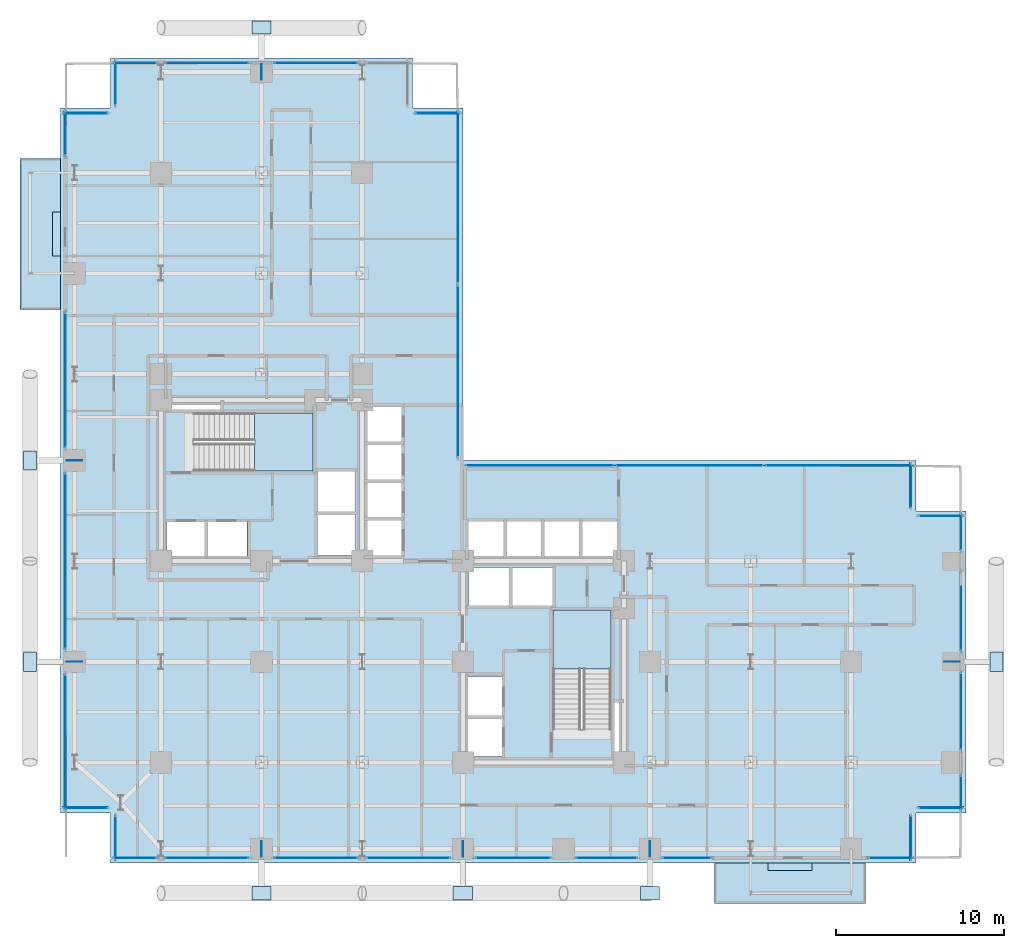
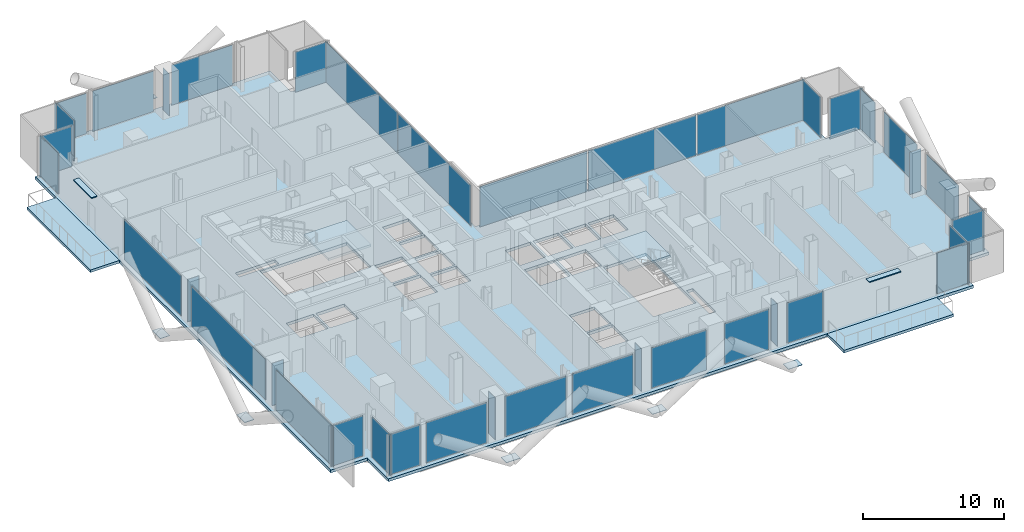
# One storey, part 17 of 27: 49 plates, 5 slabs, 32 elements without a shape of their own.
"""IFC4 building model written with IfcOpenShell, lengths in metres."""

from ifc_helpers import new_model, si_unit, direction, frame, origin, origin_2d, place, context, subcontext, project, spatial, polyline, rectangle, outline, extrude, material, layer, layer_set, type_object, element, aggregate, save


model = new_model("IFC4")

# Units and contexts
model_context = context("Model", 3, precision=1e-05, world=origin(), true_north=direction((0.0, 1.0)))
body_context = subcontext(model_context, "Body", "Model", "MODEL_VIEW")
ifc_project = project(units=[si_unit("LENGTHUNIT", "METRE"), si_unit("AREAUNIT", "SQUARE_METRE"), si_unit("VOLUMEUNIT", "CUBIC_METRE"), si_unit("PLANEANGLEUNIT", "RADIAN"), si_unit("MASSUNIT", "GRAM", prefix="KILO"), si_unit("THERMODYNAMICTEMPERATUREUNIT", "KELVIN"), si_unit("POWERUNIT", "WATT")], contexts=[model_context])

# Site, building, storey
site_placement = place(None, origin())
site = spatial("IfcSite", under=ifc_project, at=site_placement, CompositionType="ELEMENT")
building_placement = place(site_placement, origin())
building = spatial("IfcBuilding", under=site, at=building_placement, Name="Svarakhadi Broadcast Tower", CompositionType="ELEMENT")
storey_placement = place(building_placement, frame((0.0, 0.0, 44.10009765625)))
storey = spatial("IfcBuildingStorey", under=building, at=storey_placement, Name="L09", CompositionType="ELEMENT", Elevation=44.10009765625)

# Curtain wall, plate
ifc_material_1 = material(Name="Anodised Bronze Aluminium AA 6063-T6", Category="aluminium")
ifc_layer_1 = layer(ifc_material_1, 0.219970703125)
ifc_layer_set_1 = layer_set([ifc_layer_1], Name="Anodised Bronze Aluminium AA 6063-T6")
curtain_wall_type = type_object("IfcCurtainWallType", Name="CW_Sys_02", PredefinedType="NOTDEFINED", material=ifc_layer_set_1)
curtain_wall_1_placement = place(storey_placement, origin())
curtain_wall_1 = element("IfcCurtainWall", 1, at=curtain_wall_1_placement, inside=storey, type_object=curtain_wall_type, Name="L09 Unitised Facade Curtain Wall 01", PredefinedType="NOTDEFINED")
ifc_material_2 = material(Name="Double Low-E Laminated Acoustic Glass IGU 36 mm", Category="glass")
ifc_layer_2 = layer(ifc_material_2, 0.035888671875)
ifc_layer_set_2 = layer_set([ifc_layer_2], Name="Double Low-E Laminated Acoustic Glass IGU 36 mm")
plate_type_1 = type_object("IfcPlateType", Name="CW_Sys_02_Pnl", PredefinedType="CURTAIN_PANEL", material=ifc_layer_set_2)
plate_1_placement = place(storey_placement, frame((1.5, 3.300048828125, 0.074951171875), z_axis=(0.0, 0.0, 1.0), x_axis=(-1.0, 0.0, 0.0)))
plate_1 = element("IfcPlate", 2, at=plate_1_placement, type_object=plate_type_1, Name="CW-02 panel 1.1", PredefinedType="CURTAIN_PANEL", context=body_context, shape_type="SweptSolid", body=[
    extrude(rectangle(XDim=2.64990234375, YDim=0.035888671875, at=origin_2d()), origin(), (0.0, 0.0, 1.0), 3.5),
])
aggregate(curtain_wall_1, [plate_1])

curtain_wall_2_placement = place(storey_placement, origin())
curtain_wall_2 = element("IfcCurtainWall", 3, at=curtain_wall_2_placement, inside=storey, type_object=curtain_wall_type, Name="L09 West Curtain Wall 02 Bay 1", PredefinedType="NOTDEFINED")
plate_2_placement = place(storey_placement, frame((0.300048828125, 7.2099609375, 0.074951171875), z_axis=(0.0, 0.0, 1.0), x_axis=(0.0, 1.0, 0.0)))
plate_2 = element("IfcPlate", 4, at=plate_2_placement, type_object=plate_type_1, Name="CW-02 panel 1.1", PredefinedType="CURTAIN_PANEL", context=body_context, shape_type="SweptSolid", body=[
    extrude(rectangle(XDim=8.070068359375, YDim=0.035888671875, at=origin_2d()), origin(), (0.0, 0.0, 1.0), 3.5),
])
aggregate(curtain_wall_2, [plate_2])

curtain_wall_3_placement = place(storey_placement, origin())
curtain_wall_3 = element("IfcCurtainWall", 5, at=curtain_wall_3_placement, inside=storey, type_object=curtain_wall_type, Name="L09 West Curtain Wall 02 Bay 2", PredefinedType="NOTDEFINED")
plate_3_placement = place(storey_placement, frame((0.300048828125, 18.0, 0.074951171875), z_axis=(0.0, 0.0, 1.0), x_axis=(0.0, 1.0, 0.0)))
plate_3 = element("IfcPlate", 6, at=plate_3_placement, type_object=plate_type_1, Name="CW-02 panel 1.1", PredefinedType="CURTAIN_PANEL", context=body_context, shape_type="SweptSolid", body=[
    extrude(rectangle(XDim=10.489990234375, YDim=0.035888671875, at=origin_2d()), origin(), (0.0, 0.0, 1.0), 3.5),
])
aggregate(curtain_wall_3, [plate_3])

curtain_wall_4_placement = place(storey_placement, origin())
curtain_wall_4 = element("IfcCurtainWall", 7, at=curtain_wall_4_placement, inside=storey, type_object=curtain_wall_type, Name="L09 West Curtain Wall 02 Bay 3", PredefinedType="NOTDEFINED")
plate_4_placement = place(storey_placement, frame((0.300048828125, 28.7900390625, 0.074951171875), z_axis=(0.0, 0.0, 1.0), x_axis=(0.0, 1.0, 0.0)))
plate_4 = element("IfcPlate", 8, at=plate_4_placement, type_object=plate_type_1, Name="CW-02 panel 1.1", PredefinedType="CURTAIN_PANEL", context=body_context, shape_type="SweptSolid", body=[
    extrude(rectangle(XDim=8.070068359375, YDim=0.035888671875, at=origin_2d()), origin(), (0.0, 0.0, 1.0), 3.5),
])
aggregate(curtain_wall_4, [plate_4])

curtain_wall_5_placement = place(storey_placement, origin())
curtain_wall_5 = element("IfcCurtainWall", 9, at=curtain_wall_5_placement, inside=storey, type_object=curtain_wall_type, Name="L09 West Curtain Wall 03", PredefinedType="NOTDEFINED")
plate_5_placement = place(storey_placement, frame((0.300048828125, 43.5, 0.074951171875), z_axis=(0.0, 0.0, 1.0), x_axis=(0.0, 1.0, 0.0)))
plate_5 = element("IfcPlate", 10, at=plate_5_placement, type_object=plate_type_1, Name="CW-02 panel 1.1", PredefinedType="CURTAIN_PANEL", context=body_context, shape_type="SweptSolid", body=[
    extrude(rectangle(XDim=2.64990234375, YDim=0.035888671875, at=origin_2d()), origin(), (0.0, 0.0, 1.0), 3.5),
])
aggregate(curtain_wall_5, [plate_5])

curtain_wall_6_placement = place(storey_placement, origin())
curtain_wall_6 = element("IfcCurtainWall", 11, at=curtain_wall_6_placement, inside=storey, type_object=curtain_wall_type, Name="L09 Unitised Facade Curtain Wall 04", PredefinedType="NOTDEFINED")
plate_6_placement = place(storey_placement, frame((1.5, 44.699951171875, 0.074951171875), z_axis=(0.0, 0.0, 1.0), x_axis=(1.0, 0.0, 0.0)))
plate_6 = element("IfcPlate", 12, at=plate_6_placement, type_object=plate_type_1, Name="CW-02 panel 1.1", PredefinedType="CURTAIN_PANEL", context=body_context, shape_type="SweptSolid", body=[
    extrude(rectangle(XDim=2.64990234375, YDim=0.035888671875, at=origin_2d()), origin(), (0.0, 0.0, 1.0), 3.5),
])
aggregate(curtain_wall_6, [plate_6])

curtain_wall_7_placement = place(storey_placement, origin())
curtain_wall_7 = element("IfcCurtainWall", 13, at=curtain_wall_7_placement, inside=storey, type_object=curtain_wall_type, Name="L09 Unitised Facade Curtain Wall 05", PredefinedType="NOTDEFINED")
plate_7_placement = place(storey_placement, frame((3.300048828125, 46.5, 0.074951171875), z_axis=(0.0, 0.0, 1.0), x_axis=(0.0, 1.0, 0.0)))
plate_7 = element("IfcPlate", 14, at=plate_7_placement, type_object=plate_type_1, Name="CW-02 panel 1.1", PredefinedType="CURTAIN_PANEL", context=body_context, shape_type="SweptSolid", body=[
    extrude(rectangle(XDim=2.64990234375, YDim=0.035888671875, at=origin_2d()), origin(), (0.0, 0.0, 1.0), 3.5),
])
aggregate(curtain_wall_7, [plate_7])

curtain_wall_8_placement = place(storey_placement, origin())
curtain_wall_8 = element("IfcCurtainWall", 15, at=curtain_wall_8_placement, inside=storey, type_object=curtain_wall_type, Name="L09 Unitised Facade Curtain Wall 06 Bay 1", PredefinedType="NOTDEFINED")
plate_8_placement = place(storey_placement, frame((4.4599609375, 47.699951171875, 0.074951171875), z_axis=(0.0, 0.0, 1.0), x_axis=(1.0, 0.0, 0.0)))
plate_8 = element("IfcPlate", 16, at=plate_8_placement, type_object=plate_type_1, Name="CW-02 panel 1.1", PredefinedType="CURTAIN_PANEL", context=body_context, shape_type="SweptSolid", body=[
    extrude(rectangle(XDim=2.570068359375, YDim=0.035888671875, at=origin_2d()), origin(), (0.0, 0.0, 1.0), 3.5),
])
aggregate(curtain_wall_8, [plate_8])

curtain_wall_9_placement = place(storey_placement, origin())
curtain_wall_9 = element("IfcCurtainWall", 17, at=curtain_wall_9_placement, inside=storey, type_object=curtain_wall_type, Name="L09 Unitised Facade Curtain Wall 06 Bay 2", PredefinedType="NOTDEFINED")
plate_9_placement = place(storey_placement, frame((8.75, 47.699951171875, 0.074951171875), z_axis=(0.0, 0.0, 1.0), x_axis=(1.0, 0.0, 0.0)))
plate_9 = element("IfcPlate", 18, at=plate_9_placement, type_object=plate_type_1, Name="CW-02 panel 1.1", PredefinedType="CURTAIN_PANEL", context=body_context, shape_type="SweptSolid", body=[
    extrude(rectangle(XDim=4.989990234375, YDim=0.035888671875, at=origin_2d()), origin(), (0.0, 0.0, 1.0), 3.5),
])
aggregate(curtain_wall_9, [plate_9])

curtain_wall_10_placement = place(storey_placement, origin())
curtain_wall_10 = element("IfcCurtainWall", 19, at=curtain_wall_10_placement, inside=storey, type_object=curtain_wall_type, Name="L09 Unitised Facade Curtain Wall 06 Bay 3", PredefinedType="NOTDEFINED")
plate_10_placement = place(storey_placement, frame((15.25, 47.699951171875, 0.074951171875), z_axis=(0.0, 0.0, 1.0), x_axis=(1.0, 0.0, 0.0)))
plate_10 = element("IfcPlate", 20, at=plate_10_placement, type_object=plate_type_1, Name="CW-02 panel 1.1", PredefinedType="CURTAIN_PANEL", context=body_context, shape_type="SweptSolid", body=[
    extrude(rectangle(XDim=4.989990234375, YDim=0.035888671875, at=origin_2d()), origin(), (0.0, 0.0, 1.0), 3.5),
])
aggregate(curtain_wall_10, [plate_10])

curtain_wall_11_placement = place(storey_placement, origin())
curtain_wall_11 = element("IfcCurtainWall", 21, at=curtain_wall_11_placement, inside=storey, type_object=curtain_wall_type, Name="L09 Unitised Facade Curtain Wall 08", PredefinedType="NOTDEFINED")
plate_11_placement = place(storey_placement, frame((22.5, 44.699951171875, 0.074951171875), z_axis=(0.0, 0.0, 1.0), x_axis=(1.0, 0.0, 0.0)))
plate_11 = element("IfcPlate", 22, at=plate_11_placement, type_object=plate_type_1, Name="CW-02 panel 1.1", PredefinedType="CURTAIN_PANEL", context=body_context, shape_type="SweptSolid", body=[
    extrude(rectangle(XDim=2.64990234375, YDim=0.035888671875, at=origin_2d()), origin(), (0.0, 0.0, 1.0), 3.5),
])
aggregate(curtain_wall_11, [plate_11])

# Curtain wall, plates
curtain_wall_12_placement = place(storey_placement, origin())
curtain_wall_12 = element("IfcCurtainWall", 23, at=curtain_wall_12_placement, inside=storey, type_object=curtain_wall_type, Name="L09 Unitised Facade Curtain Wall 09", PredefinedType="NOTDEFINED")
plate_12_placement = place(storey_placement, frame((23.699951171875, 39.683837890625, 0.074951171875), z_axis=(0.0, 0.0, 1.0), x_axis=(0.0, -1.0, 0.0)))
plate_12 = element("IfcPlate", 24, at=plate_12_placement, type_object=plate_type_1, Name="CW-02 panel 1.1", PredefinedType="CURTAIN_PANEL", context=body_context, shape_type="SweptSolid", body=[
    extrude(rectangle(XDim=10.282470703125, YDim=0.035888671875, at=origin_2d()), origin(), (0.0, 0.0, 1.0), 3.5),
])
plate_13_placement = place(storey_placement, frame((23.699951171875, 29.316162109375, 0.074951171875), z_axis=(0.0, 0.0, 1.0), x_axis=(0.0, -1.0, 0.0)))
plate_13 = element("IfcPlate", 25, at=plate_13_placement, type_object=plate_type_1, Name="CW-02 panel 2.1", PredefinedType="CURTAIN_PANEL", context=body_context, shape_type="SweptSolid", body=[
    extrude(rectangle(XDim=10.282470703125, YDim=0.035888671875, at=origin_2d()), origin(), (0.0, 0.0, 1.0), 3.5),
])
aggregate(curtain_wall_12, [plate_12, plate_13])

curtain_wall_13_placement = place(storey_placement, origin())
curtain_wall_13 = element("IfcCurtainWall", 26, at=curtain_wall_13_placement, inside=storey, type_object=curtain_wall_type, Name="L09 Unitised Facade Curtain Wall 10", PredefinedType="NOTDEFINED")
plate_14_placement = place(storey_placement, frame((28.581298828125, 23.699951171875, 0.074951171875), z_axis=(0.0, 0.0, 1.0), x_axis=(1.0, 0.0, 0.0)))
plate_14 = element("IfcPlate", 27, at=plate_14_placement, type_object=plate_type_1, Name="CW-02 panel 1.1", PredefinedType="CURTAIN_PANEL", context=body_context, shape_type="SweptSolid", body=[
    extrude(rectangle(XDim=8.8125, YDim=0.035888671875, at=origin_2d()), origin(), (0.0, 0.0, 1.0), 3.5),
])
plate_15_placement = place(storey_placement, frame((37.5, 23.699951171875, 0.074951171875), z_axis=(0.0, 0.0, 1.0), x_axis=(1.0, 0.0, 0.0)))
plate_15 = element("IfcPlate", 28, at=plate_15_placement, type_object=plate_type_1, Name="CW-02 panel 2.1", PredefinedType="CURTAIN_PANEL", context=body_context, shape_type="SweptSolid", body=[
    extrude(rectangle(XDim=8.85498046875, YDim=0.035888671875, at=origin_2d()), origin(), (0.0, 0.0, 1.0), 3.5),
])
plate_16_placement = place(storey_placement, frame((46.418701171875, 23.699951171875, 0.074951171875), z_axis=(0.0, 0.0, 1.0), x_axis=(1.0, 0.0, 0.0)))
plate_16 = element("IfcPlate", 29, at=plate_16_placement, type_object=plate_type_1, Name="CW-02 panel 3.1", PredefinedType="CURTAIN_PANEL", context=body_context, shape_type="SweptSolid", body=[
    extrude(rectangle(XDim=8.8125, YDim=0.035888671875, at=origin_2d()), origin(), (0.0, 0.0, 1.0), 3.5),
])
aggregate(curtain_wall_13, [plate_14, plate_15, plate_16])

# Curtain wall, plate
curtain_wall_14_placement = place(storey_placement, origin())
curtain_wall_14 = element("IfcCurtainWall", 30, at=curtain_wall_14_placement, inside=storey, type_object=curtain_wall_type, Name="L09 Unitised Facade Curtain Wall 11", PredefinedType="NOTDEFINED")
plate_17_placement = place(storey_placement, frame((50.699951171875, 22.5, 0.074951171875), z_axis=(0.0, 0.0, 1.0), x_axis=(0.0, -1.0, 0.0)))
plate_17 = element("IfcPlate", 31, at=plate_17_placement, type_object=plate_type_1, Name="CW-02 panel 1.1", PredefinedType="CURTAIN_PANEL", context=body_context, shape_type="SweptSolid", body=[
    extrude(rectangle(XDim=2.64990234375, YDim=0.035888671875, at=origin_2d()), origin(), (0.0, 0.0, 1.0), 3.5),
])
aggregate(curtain_wall_14, [plate_17])

curtain_wall_15_placement = place(storey_placement, origin())
curtain_wall_15 = element("IfcCurtainWall", 32, at=curtain_wall_15_placement, inside=storey, type_object=curtain_wall_type, Name="L09 Unitised Facade Curtain Wall 12", PredefinedType="NOTDEFINED")
plate_18_placement = place(storey_placement, frame((52.5, 20.699951171875, 0.074951171875), z_axis=(0.0, 0.0, 1.0), x_axis=(1.0, 0.0, 0.0)))
plate_18 = element("IfcPlate", 33, at=plate_18_placement, type_object=plate_type_1, Name="CW-02 panel 1.1", PredefinedType="CURTAIN_PANEL", context=body_context, shape_type="SweptSolid", body=[
    extrude(rectangle(XDim=2.64990234375, YDim=0.035888671875, at=origin_2d()), origin(), (0.0, 0.0, 1.0), 3.5),
])
aggregate(curtain_wall_15, [plate_18])

curtain_wall_16_placement = place(storey_placement, origin())
curtain_wall_16 = element("IfcCurtainWall", 34, at=curtain_wall_16_placement, inside=storey, type_object=curtain_wall_type, Name="L09 Unitised Facade Curtain Wall 13 Bay 1", PredefinedType="NOTDEFINED")
plate_19_placement = place(storey_placement, frame((53.699951171875, 19.739990234375, 0.074951171875), z_axis=(0.0, 0.0, 1.0), x_axis=(0.0, -1.0, 0.0)))
plate_19 = element("IfcPlate", 35, at=plate_19_placement, type_object=plate_type_1, Name="CW-02 panel 1.1", PredefinedType="CURTAIN_PANEL", context=body_context, shape_type="SweptSolid", body=[
    extrude(rectangle(XDim=2.169921875, YDim=0.035888671875, at=origin_2d()), origin(), (0.0, 0.0, 1.0), 3.5),
])
aggregate(curtain_wall_16, [plate_19])

curtain_wall_17_placement = place(storey_placement, origin())
curtain_wall_17 = element("IfcCurtainWall", 36, at=curtain_wall_17_placement, inside=storey, type_object=curtain_wall_type, Name="L09 Unitised Facade Curtain Wall 13 Bay 2", PredefinedType="NOTDEFINED")
plate_20_placement = place(storey_placement, frame((53.699951171875, 15.0, 0.074951171875), z_axis=(0.0, 0.0, 1.0), x_axis=(0.0, -1.0, 0.0)))
plate_20 = element("IfcPlate", 37, at=plate_20_placement, type_object=plate_type_1, Name="CW-02 panel 1.1", PredefinedType="CURTAIN_PANEL", context=body_context, shape_type="SweptSolid", body=[
    extrude(rectangle(XDim=4.68994140625, YDim=0.035888671875, at=origin_2d()), origin(), (0.0, 0.0, 1.0), 3.5),
])
aggregate(curtain_wall_17, [plate_20])

curtain_wall_18_placement = place(storey_placement, origin())
curtain_wall_18 = element("IfcCurtainWall", 38, at=curtain_wall_18_placement, inside=storey, type_object=curtain_wall_type, Name="L09 Unitised Facade Curtain Wall 13 Bay 3", PredefinedType="NOTDEFINED")
plate_21_placement = place(storey_placement, frame((53.699951171875, 9.050048828125, 0.074951171875), z_axis=(0.0, 0.0, 1.0), x_axis=(0.0, -1.0, 0.0)))
plate_21 = element("IfcPlate", 39, at=plate_21_placement, type_object=plate_type_1, Name="CW-02 panel 1.1", PredefinedType="CURTAIN_PANEL", context=body_context, shape_type="SweptSolid", body=[
    extrude(rectangle(XDim=4.590087890625, YDim=0.035888671875, at=origin_2d()), origin(), (0.0, 0.0, 1.0), 3.5),
])
aggregate(curtain_wall_18, [plate_21])

curtain_wall_19_placement = place(storey_placement, origin())
curtain_wall_19 = element("IfcCurtainWall", 40, at=curtain_wall_19_placement, inside=storey, type_object=curtain_wall_type, Name="L09 Unitised Facade Curtain Wall 13 Bay 4", PredefinedType="NOTDEFINED")
plate_22_placement = place(storey_placement, frame((53.699951171875, 4.2099609375, 0.074951171875), z_axis=(0.0, 0.0, 1.0), x_axis=(0.0, -1.0, 0.0)))
plate_22 = element("IfcPlate", 41, at=plate_22_placement, type_object=plate_type_1, Name="CW-02 panel 1.1", PredefinedType="CURTAIN_PANEL", context=body_context, shape_type="SweptSolid", body=[
    extrude(rectangle(XDim=2.070068359375, YDim=0.035888671875, at=origin_2d()), origin(), (0.0, 0.0, 1.0), 3.5),
])
aggregate(curtain_wall_19, [plate_22])

curtain_wall_20_placement = place(storey_placement, origin())
curtain_wall_20 = element("IfcCurtainWall", 42, at=curtain_wall_20_placement, inside=storey, type_object=curtain_wall_type, Name="L09 Unitised Facade Curtain Wall 14", PredefinedType="NOTDEFINED")
plate_23_placement = place(storey_placement, frame((52.5, 3.300048828125, 0.074951171875), z_axis=(0.0, 0.0, 1.0), x_axis=(-1.0, 0.0, 0.0)))
plate_23 = element("IfcPlate", 43, at=plate_23_placement, type_object=plate_type_1, Name="CW-02 panel 1.1", PredefinedType="CURTAIN_PANEL", context=body_context, shape_type="SweptSolid", body=[
    extrude(rectangle(XDim=2.64990234375, YDim=0.035888671875, at=origin_2d()), origin(), (0.0, 0.0, 1.0), 3.5),
])
aggregate(curtain_wall_20, [plate_23])

curtain_wall_21_placement = place(storey_placement, origin())
curtain_wall_21 = element("IfcCurtainWall", 44, at=curtain_wall_21_placement, inside=storey, type_object=curtain_wall_type, Name="L09 Unitised Facade Curtain Wall 15", PredefinedType="NOTDEFINED")
plate_24_placement = place(storey_placement, frame((50.699951171875, 1.5, 0.074951171875), z_axis=(0.0, 0.0, 1.0), x_axis=(0.0, -1.0, 0.0)))
plate_24 = element("IfcPlate", 45, at=plate_24_placement, type_object=plate_type_1, Name="CW-02 panel 1.1", PredefinedType="CURTAIN_PANEL", context=body_context, shape_type="SweptSolid", body=[
    extrude(rectangle(XDim=2.64990234375, YDim=0.035888671875, at=origin_2d()), origin(), (0.0, 0.0, 1.0), 3.5),
])
aggregate(curtain_wall_21, [plate_24])

curtain_wall_22_placement = place(storey_placement, origin())
curtain_wall_22 = element("IfcCurtainWall", 46, at=curtain_wall_22_placement, inside=storey, type_object=curtain_wall_type, Name="L09 South Curtain Wall 16", PredefinedType="NOTDEFINED")
plate_25_placement = place(storey_placement, frame((49.5, 0.300048828125, 0.074951171875), z_axis=(0.0, 0.0, 1.0), x_axis=(-1.0, 0.0, 0.0)))
plate_25 = element("IfcPlate", 47, at=plate_25_placement, type_object=plate_type_1, Name="CW-02 panel 1.1", PredefinedType="CURTAIN_PANEL", context=body_context, shape_type="SweptSolid", body=[
    extrude(rectangle(XDim=2.64990234375, YDim=0.035888671875, at=origin_2d()), origin(), (0.0, 0.0, 1.0), 3.5),
])
aggregate(curtain_wall_22, [plate_25])

curtain_wall_23_placement = place(storey_placement, origin())
curtain_wall_23 = element("IfcCurtainWall", 48, at=curtain_wall_23_placement, inside=storey, type_object=curtain_wall_type, Name="L09 South Curtain Wall 17 Bay 1", PredefinedType="NOTDEFINED")
plate_26_placement = place(storey_placement, frame((37.364990234375, 0.300048828125, 0.074951171875), z_axis=(0.0, 0.0, 1.0), x_axis=(-1.0, 0.0, 0.0)))
plate_26 = element("IfcPlate", 49, at=plate_26_placement, type_object=plate_type_1, Name="CW-02 panel 1.1", PredefinedType="CURTAIN_PANEL", context=body_context, shape_type="SweptSolid", body=[
    extrude(rectangle(XDim=2.919921875, YDim=0.035888671875, at=origin_2d()), origin(), (0.0, 0.0, 1.0), 3.5),
])
aggregate(curtain_wall_23, [plate_26])

curtain_wall_24_placement = place(storey_placement, origin())
curtain_wall_24 = element("IfcCurtainWall", 50, at=curtain_wall_24_placement, inside=storey, type_object=curtain_wall_type, Name="L09 South Curtain Wall 17 Bay 2", PredefinedType="NOTDEFINED")
plate_27_placement = place(storey_placement, frame((32.574951171875, 0.300048828125, 0.074951171875), z_axis=(0.0, 0.0, 1.0), x_axis=(-1.0, 0.0, 0.0)))
plate_27 = element("IfcPlate", 51, at=plate_27_placement, type_object=plate_type_1, Name="CW-02 panel 1.1", PredefinedType="CURTAIN_PANEL", context=body_context, shape_type="SweptSolid", body=[
    extrude(rectangle(XDim=3.639892578125, YDim=0.035888671875, at=origin_2d()), origin(), (0.0, 0.0, 1.0), 3.5),
])
aggregate(curtain_wall_24, [plate_27])

curtain_wall_25_placement = place(storey_placement, origin())
curtain_wall_25 = element("IfcCurtainWall", 52, at=curtain_wall_25_placement, inside=storey, type_object=curtain_wall_type, Name="L09 South Curtain Wall 17 Bay 3", PredefinedType="NOTDEFINED")
plate_28_placement = place(storey_placement, frame((27.0, 0.300048828125, 0.074951171875), z_axis=(0.0, 0.0, 1.0), x_axis=(-1.0, 0.0, 0.0)))
plate_28 = element("IfcPlate", 53, at=plate_28_placement, type_object=plate_type_1, Name="CW-02 panel 1.1", PredefinedType="CURTAIN_PANEL", context=body_context, shape_type="SweptSolid", body=[
    extrude(rectangle(XDim=4.489990234375, YDim=0.035888671875, at=origin_2d()), origin(), (0.0, 0.0, 1.0), 3.5),
])
aggregate(curtain_wall_25, [plate_28])

curtain_wall_26_placement = place(storey_placement, origin())
curtain_wall_26 = element("IfcCurtainWall", 54, at=curtain_wall_26_placement, inside=storey, type_object=curtain_wall_type, Name="L09 South Curtain Wall 17 Bay 4", PredefinedType="NOTDEFINED")
plate_29_placement = place(storey_placement, frame((20.75, 0.300048828125, 0.074951171875), z_axis=(0.0, 0.0, 1.0), x_axis=(-1.0, 0.0, 0.0)))
plate_29 = element("IfcPlate", 55, at=plate_29_placement, type_object=plate_type_1, Name="CW-02 panel 1.1", PredefinedType="CURTAIN_PANEL", context=body_context, shape_type="SweptSolid", body=[
    extrude(rectangle(XDim=4.989990234375, YDim=0.035888671875, at=origin_2d()), origin(), (0.0, 0.0, 1.0), 3.5),
])
aggregate(curtain_wall_26, [plate_29])

curtain_wall_27_placement = place(storey_placement, origin())
curtain_wall_27 = element("IfcCurtainWall", 56, at=curtain_wall_27_placement, inside=storey, type_object=curtain_wall_type, Name="L09 South Curtain Wall 17 Bay 5", PredefinedType="NOTDEFINED")
plate_30_placement = place(storey_placement, frame((15.25, 0.300048828125, 0.074951171875), z_axis=(0.0, 0.0, 1.0), x_axis=(-1.0, 0.0, 0.0)))
plate_30 = element("IfcPlate", 57, at=plate_30_placement, type_object=plate_type_1, Name="CW-02 panel 1.1", PredefinedType="CURTAIN_PANEL", context=body_context, shape_type="SweptSolid", body=[
    extrude(rectangle(XDim=4.989990234375, YDim=0.035888671875, at=origin_2d()), origin(), (0.0, 0.0, 1.0), 3.5),
])
aggregate(curtain_wall_27, [plate_30])

curtain_wall_28_placement = place(storey_placement, origin())
curtain_wall_28 = element("IfcCurtainWall", 58, at=curtain_wall_28_placement, inside=storey, type_object=curtain_wall_type, Name="L09 South Curtain Wall 17 Bay 6", PredefinedType="NOTDEFINED")
plate_31_placement = place(storey_placement, frame((8.75, 0.300048828125, 0.074951171875), z_axis=(0.0, 0.0, 1.0), x_axis=(-1.0, 0.0, 0.0)))
plate_31 = element("IfcPlate", 59, at=plate_31_placement, type_object=plate_type_1, Name="CW-02 panel 1.1", PredefinedType="CURTAIN_PANEL", context=body_context, shape_type="SweptSolid", body=[
    extrude(rectangle(XDim=4.989990234375, YDim=0.035888671875, at=origin_2d()), origin(), (0.0, 0.0, 1.0), 3.5),
])
aggregate(curtain_wall_28, [plate_31])

curtain_wall_29_placement = place(storey_placement, origin())
curtain_wall_29 = element("IfcCurtainWall", 60, at=curtain_wall_29_placement, inside=storey, type_object=curtain_wall_type, Name="L09 South Curtain Wall 17 Bay 7", PredefinedType="NOTDEFINED")
plate_32_placement = place(storey_placement, frame((4.4599609375, 0.300048828125, 0.074951171875), z_axis=(0.0, 0.0, 1.0), x_axis=(-1.0, 0.0, 0.0)))
plate_32 = element("IfcPlate", 61, at=plate_32_placement, type_object=plate_type_1, Name="CW-02 panel 1.1", PredefinedType="CURTAIN_PANEL", context=body_context, shape_type="SweptSolid", body=[
    extrude(rectangle(XDim=2.570068359375, YDim=0.035888671875, at=origin_2d()), origin(), (0.0, 0.0, 1.0), 3.5),
])
aggregate(curtain_wall_29, [plate_32])

curtain_wall_30_placement = place(storey_placement, origin())
curtain_wall_30 = element("IfcCurtainWall", 62, at=curtain_wall_30_placement, inside=storey, type_object=curtain_wall_type, Name="L09 Unitised Facade Curtain Wall 18", PredefinedType="NOTDEFINED")
plate_33_placement = place(storey_placement, frame((3.300048828125, 1.5, 0.074951171875), z_axis=(0.0, 0.0, 1.0), x_axis=(0.0, 1.0, 0.0)))
plate_33 = element("IfcPlate", 63, at=plate_33_placement, type_object=plate_type_1, Name="CW-02 panel 1.1", PredefinedType="CURTAIN_PANEL", context=body_context, shape_type="SweptSolid", body=[
    extrude(rectangle(XDim=2.64990234375, YDim=0.035888671875, at=origin_2d()), origin(), (0.0, 0.0, 1.0), 3.5),
])
aggregate(curtain_wall_30, [plate_33])

# Plates
ifc_material_3 = material(Name="Steel S460ML (IS 2062 E450BR)", Category="steel")
ifc_layer_3 = layer(ifc_material_3, 0.035888671875)
ifc_layer_set_3 = layer_set([ifc_layer_3], Name="Steel S460ML (IS 2062 E450BR)")
plate_type_2 = type_object("IfcPlateType", Name="Node_Gusset_N01", PredefinedType="SHEET", material=ifc_layer_set_3)
for number, where, z_axis, x_axis, name in (
    (64, (12.0, -1.800048828125, -0.25), (0.0, 0.0, 1.0), (1.0, 0.0, 0.0), "L09 Exoskeleton Gusset Node Plate S01"),
    (65, (24.0, -1.800048828125, -0.25), (0.0, 0.0, 1.0), (1.0, 0.0, 0.0), "L09 Exoskeleton Gusset Node Plate S02"),
    (66, (35.14990234375, -1.800048828125, -0.25), (0.0, 0.0, 1.0), (1.0, 0.0, 0.0), "L09 Exoskeleton Gusset Node Plate S03"),
    (67, (-1.800048828125, 12.0, -0.25), (0.0, 0.0, 1.0), (0.0, 1.0, 0.0), "L09 Exoskeleton Gusset Node Plate W04"),
    (68, (-1.800048828125, 24.0, -0.25), (0.0, 0.0, 1.0), (0.0, 1.0, 0.0), "L09 Exoskeleton Gusset Node Plate W05"),
    (69, (55.800048828125, 12.0, -0.25), (0.0, 0.0, 1.0), (0.0, 1.0, 0.0), "L09 Exoskeleton Gusset Node Plate E06"),
    (70, (12.0, 49.800048828125, -0.25), (0.0, 0.0, 1.0), (1.0, 0.0, 0.0), "L09 Exoskeleton Gusset Node Plate N07"),
):
    element("IfcPlate", number, at=place(storey_placement, frame(where, z_axis=z_axis, x_axis=x_axis)), inside=storey, type_object=plate_type_2, Name=name, PredefinedType="SHEET", context=body_context, shape_type="SweptSolid", body=[
        extrude(rectangle(XDim=1.14990234375, YDim=0.780029296875, at=origin_2d()), origin(), (0.0, 0.0, 1.0), 0.035888671875),
    ])
ifc_layer_4 = layer(ifc_material_3, 0.02587890625)
ifc_layer_set_4 = layer_set([ifc_layer_4], Name="Steel S460ML (IS 2062 E450BR)")
plate_type_3 = type_object("IfcPlateType", Name="Node_Gusset_N07", PredefinedType="SHEET", material=ifc_layer_set_4)
for number, where, z_axis, x_axis, name in (
    (71, (12.0, 0.85009765625, -0.6279296875), (0.0, 0.0, 1.0), (0.0, 1.0, 0.0), "L09 Brace End Connection Gusset Plate N-07-E0046"),
    (72, (24.0, 0.85009765625, -0.6279296875), (0.0, 0.0, 1.0), (0.0, 1.0, 0.0), "L09 Brace End Connection Gusset Plate N-07-E0047"),
    (73, (35.14990234375, 0.85009765625, -0.6279296875), (0.0, 0.0, 1.0), (0.0, 1.0, 0.0), "L09 Brace End Connection Gusset Plate N-07-E0048"),
    (74, (0.85009765625, 12.0, -0.6279296875), (0.0, 0.0, 1.0), (1.0, 0.0, 0.0), "L09 Brace End Connection Gusset Plate N-07-E0049"),
    (75, (0.85009765625, 24.0, -0.6279296875), (0.0, 0.0, 1.0), (1.0, 0.0, 0.0), "L09 Brace End Connection Gusset Plate N-07-E0050"),
    (76, (53.14990234375, 12.0, -0.6279296875), (0.0, 0.0, 1.0), (1.0, 0.0, 0.0), "L09 Brace End Connection Gusset Plate N-07-E0051"),
    (77, (12.0, 47.14990234375, -0.6279296875), (0.0, 0.0, 1.0), (0.0, 1.0, 0.0), "L09 Brace End Connection Gusset Plate N-07-E0052"),
):
    element("IfcPlate", number, at=place(storey_placement, frame(where, z_axis=z_axis, x_axis=x_axis)), inside=storey, type_object=plate_type_3, Name=name, PredefinedType="SHEET", context=body_context, shape_type="SweptSolid", body=[
        extrude(rectangle(XDim=0.919921875, YDim=0.02587890625, at=origin_2d()), origin(), (0.0, 0.0, 1.0), 4.300048828125),
    ])

# Slab
ifc_material_4 = material(Name="Concrete C40/50 (IS 456 M50)", Category="concrete")
ifc_layer_5 = layer(ifc_material_4, 0.25)
ifc_layer_set_5 = layer_set([ifc_layer_5], Name="Concrete C40/50 (IS 456 M50)")
slab_type_1 = type_object("IfcSlabType", Name="Slab_Floor_250", PredefinedType="FLOOR", material=ifc_layer_set_5)
slab_1_placement = place(storey_placement, frame((0.0, 0.0, -0.25)))
element("IfcSlab", 78, at=slab_1_placement, inside=storey, type_object=slab_type_1, Name="L09 Structural Floor Slab", PredefinedType="FLOOR", context=body_context, shape_type="SweptSolid", body=[
    extrude(outline(polyline([(3.0, 0.0), (51.0, 0.0), (51.0, 3.0), (54.0, 3.0), (54.0, 21.0), (51.0, 21.0), (51.0, 24.0), (24.0, 24.0), (24.0, 45.0), (21.0, 45.0), (21.0, 48.0), (3.0, 48.0), (3.0, 45.0), (0.0, 45.0), (0.0, 3.0), (3.0, 3.0), (3.0, 0.0)]), holes=[polyline([(7.97998046875, 23.360107421875), (15.080078125, 23.360107421875), (15.080078125, 26.840087890625), (7.97998046875, 26.840087890625), (7.97998046875, 23.360107421875)]), polyline([(32.840087890625, 7.97998046875), (32.840087890625, 15.080078125), (29.360107421875, 15.080078125), (29.360107421875, 7.97998046875), (32.840087890625, 7.97998046875)]), polyline([(6.340087890625, 18.2900390625), (8.610107421875, 18.2900390625), (8.610107421875, 20.330078125), (6.340087890625, 20.330078125), (6.340087890625, 18.2900390625)]), polyline([(8.7900390625, 18.2900390625), (11.1298828125, 18.2900390625), (11.1298828125, 20.330078125), (8.7900390625, 20.330078125), (8.7900390625, 18.2900390625)]), polyline([(24.2900390625, 6.340087890625), (26.330078125, 6.340087890625), (26.330078125, 8.610107421875), (24.2900390625, 8.610107421875), (24.2900390625, 6.340087890625)]), polyline([(24.2900390625, 8.7900390625), (26.330078125, 8.7900390625), (26.330078125, 11.1298828125), (24.2900390625, 11.1298828125), (24.2900390625, 8.7900390625)]), polyline([(6.340087890625, 26.989990234375), (9.610107421875, 26.989990234375), (9.610107421875, 27.530029296875), (6.340087890625, 27.530029296875), (6.340087890625, 26.989990234375)]), polyline([(32.989990234375, 6.340087890625), (33.530029296875, 6.340087890625), (33.530029296875, 9.610107421875), (32.989990234375, 9.610107421875), (32.989990234375, 6.340087890625)]), polyline([(15.340087890625, 18.340087890625), (17.610107421875, 18.340087890625), (17.610107421875, 20.760009765625), (15.340087890625, 20.760009765625), (15.340087890625, 18.340087890625)]), polyline([(15.340087890625, 20.93994140625), (17.610107421875, 20.93994140625), (17.610107421875, 23.360107421875), (15.340087890625, 23.360107421875), (15.340087890625, 20.93994140625)]), polyline([(24.340087890625, 15.340087890625), (26.760009765625, 15.340087890625), (26.760009765625, 17.610107421875), (24.340087890625, 17.610107421875), (24.340087890625, 15.340087890625)]), polyline([(26.93994140625, 15.340087890625), (29.360107421875, 15.340087890625), (29.360107421875, 17.610107421875), (26.93994140625, 17.610107421875), (26.93994140625, 15.340087890625)]), polyline([(18.239990234375, 18.340087890625), (20.360107421875, 18.340087890625), (20.360107421875, 20.429931640625), (18.239990234375, 20.429931640625), (18.239990234375, 18.340087890625)]), polyline([(18.239990234375, 20.610107421875), (20.360107421875, 20.610107421875), (20.360107421875, 22.679931640625), (18.239990234375, 22.679931640625), (18.239990234375, 20.610107421875)]), polyline([(18.239990234375, 22.860107421875), (20.360107421875, 22.860107421875), (20.360107421875, 24.929931640625), (18.239990234375, 24.929931640625), (18.239990234375, 22.860107421875)]), polyline([(18.239990234375, 25.110107421875), (20.360107421875, 25.110107421875), (20.360107421875, 27.2099609375), (18.239990234375, 27.2099609375), (18.239990234375, 25.110107421875)]), polyline([(24.340087890625, 18.239990234375), (26.429931640625, 18.239990234375), (26.429931640625, 20.360107421875), (24.340087890625, 20.360107421875), (24.340087890625, 18.239990234375)]), polyline([(26.610107421875, 18.239990234375), (28.679931640625, 18.239990234375), (28.679931640625, 20.360107421875), (26.610107421875, 20.360107421875), (26.610107421875, 18.239990234375)]), polyline([(28.860107421875, 18.239990234375), (30.929931640625, 18.239990234375), (30.929931640625, 20.360107421875), (28.860107421875, 20.360107421875), (28.860107421875, 18.239990234375)]), polyline([(31.110107421875, 18.239990234375), (33.2099609375, 18.239990234375), (33.2099609375, 20.360107421875), (31.110107421875, 20.360107421875), (31.110107421875, 18.239990234375)])]), origin(), (0.0, 0.0, 1.0), 0.25),
])

# Stair, slab
stair_type = type_object("IfcStairType", Name="Stair_Exit_Core", PredefinedType="HALF_TURN_STAIR", material=ifc_material_4)
stair_1_placement = place(storey_placement, origin())
stair_1 = element("IfcStair", 79, at=stair_1_placement, inside=storey, type_object=stair_type, Name="L09 West Core Protected Exit Stair ST-01", PredefinedType="HALF_TURN_STAIR")
ifc_layer_6 = layer(ifc_material_4, 0.199951171875)
ifc_layer_set_6 = layer_set([ifc_layer_6], Name="Concrete C40/50 (IS 456 M50)")
slab_type_2 = type_object("IfcSlabType", Name="Slab_Stair_Land", PredefinedType="LANDING", material=ifc_layer_set_6)
slab_2_placement = place(storey_placement, frame((0.0, 0.0, 1.75)))
slab_2 = element("IfcSlab", 80, at=slab_2_placement, type_object=slab_type_2, Name="ST-01 landing 1", PredefinedType="LANDING", context=body_context, shape_type="SweptSolid", body=[
    extrude(outline(polyline([(11.580078125, 23.360107421875), (15.080078125, 23.360107421875), (15.080078125, 26.840087890625), (11.580078125, 26.840087890625), (11.580078125, 23.360107421875)])), origin(), (0.0, 0.0, 1.0), 0.199951171875),
])
aggregate(stair_1, [slab_2])

stair_2_placement = place(storey_placement, origin())
stair_2 = element("IfcStair", 81, at=stair_2_placement, inside=storey, type_object=stair_type, Name="L09 East Core Protected Exit Stair ST-02", PredefinedType="HALF_TURN_STAIR")
slab_3_placement = place(storey_placement, frame((0.0, 0.0, 1.75)))
slab_3 = element("IfcSlab", 82, at=slab_3_placement, type_object=slab_type_2, Name="ST-02 landing 1", PredefinedType="LANDING", context=body_context, shape_type="SweptSolid", body=[
    extrude(outline(polyline([(32.840087890625, 11.580078125), (32.840087890625, 15.080078125), (29.360107421875, 15.080078125), (29.360107421875, 11.580078125), (32.840087890625, 11.580078125)])), origin(), (0.0, 0.0, 1.0), 0.199951171875),
])
aggregate(stair_2, [slab_3])

# Slabs
ifc_layer_7 = layer(ifc_material_4, 0.22509765625)
ifc_layer_set_7 = layer_set([ifc_layer_7], Name="Concrete C40/50 (IS 456 M50)")
slab_type_3 = type_object("IfcSlabType", Name="Slab_TreeBalcony", PredefinedType="FLOOR", material=ifc_layer_set_7)
slab_4_placement = place(storey_placement, frame((0.0, 0.0, -0.22509765625)))
element("IfcSlab", 83, at=slab_4_placement, inside=storey, type_object=slab_type_3, Name="L09 Planted Tree Balcony Slab BAL-E", PredefinedType="FLOOR", context=body_context, shape_type="SweptSolid", body=[
    extrude(outline(polyline([(39.0, -2.39990234375), (48.0, -2.39990234375), (48.0, 0.0), (39.0, 0.0), (39.0, -2.39990234375)])), origin(), (0.0, 0.0, 1.0), 0.22509765625),
])
slab_5_placement = place(storey_placement, frame((0.0, 0.0, -0.22509765625)))
element("IfcSlab", 84, at=slab_5_placement, inside=storey, type_object=slab_type_3, Name="L09 Planted Tree Balcony Slab BAL-N", PredefinedType="FLOOR", context=body_context, shape_type="SweptSolid", body=[
    extrude(outline(polyline([(-2.39990234375, 33.0), (0.0, 33.0), (0.0, 42.0), (-2.39990234375, 42.0), (-2.39990234375, 33.0)])), origin(), (0.0, 0.0, 1.0), 0.22509765625),
])

# Plates
ifc_layer_8 = layer(ifc_material_1, 0.080078125)
ifc_layer_set_8 = layer_set([ifc_layer_8], Name="Anodised Bronze Aluminium AA 6063-T6")
plate_type_4 = type_object("IfcPlateType", Name="Sunshade_Fin_SS01", PredefinedType="USERDEFINED", material=ifc_layer_set_8)
for number, where, z_axis, x_axis, name in (
    (85, (43.5, -0.22509765625, 3.56982421875), (0.0, 0.0, 1.0), (1.0, 0.0, 0.0), "L09 South Bronze Brise-Soleil Sunshade SS-01"),
    (86, (-0.22509765625, 37.5, 3.56982421875), (0.0, 0.0, 1.0), (0.0, 1.0, 0.0), "L09 West Bronze Brise-Soleil Sunshade SS-01"),
):
    element("IfcPlate", number, at=place(storey_placement, frame(where, z_axis=z_axis, x_axis=x_axis)), inside=storey, type_object=plate_type_4, Name=name, ObjectType="SUNSHADE", PredefinedType="USERDEFINED", context=body_context, shape_type="SweptSolid", body=[
        extrude(rectangle(XDim=2.60009765625, YDim=0.449951171875, at=origin_2d()), origin(), (0.0, 0.0, 1.0), 0.080078125),
    ])

save(model, "model.ifc")
